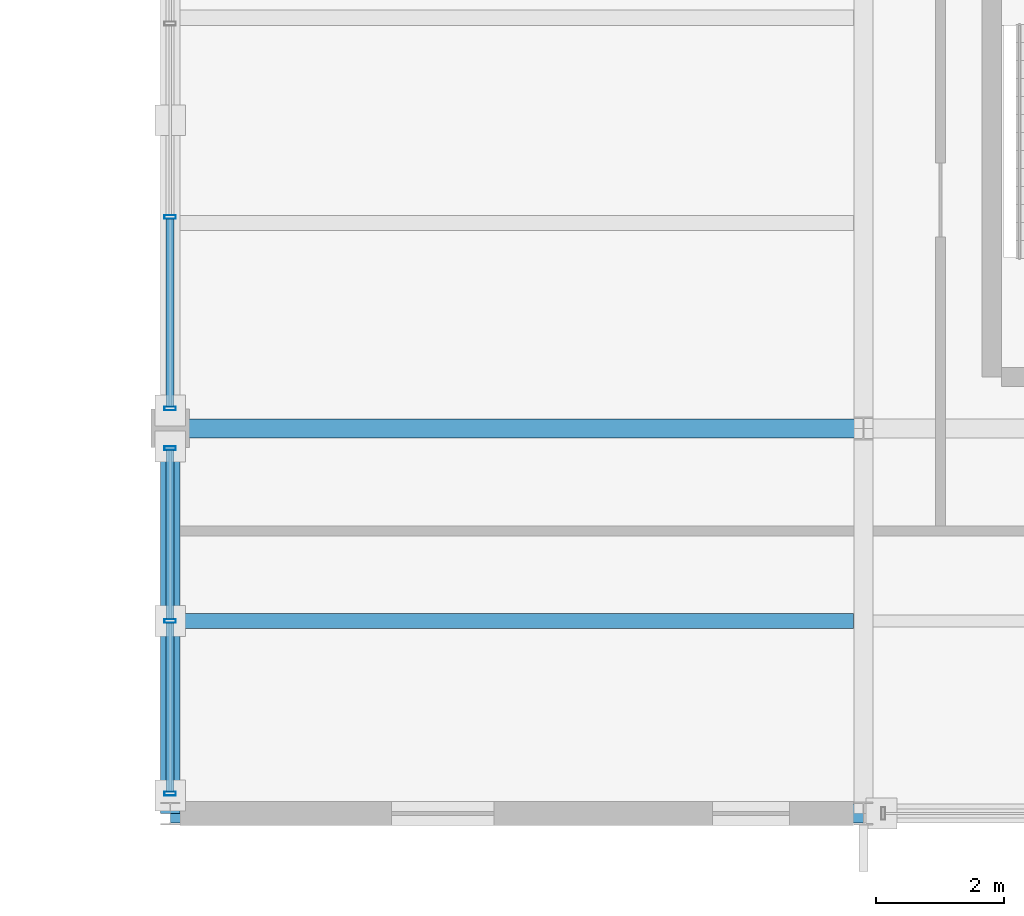
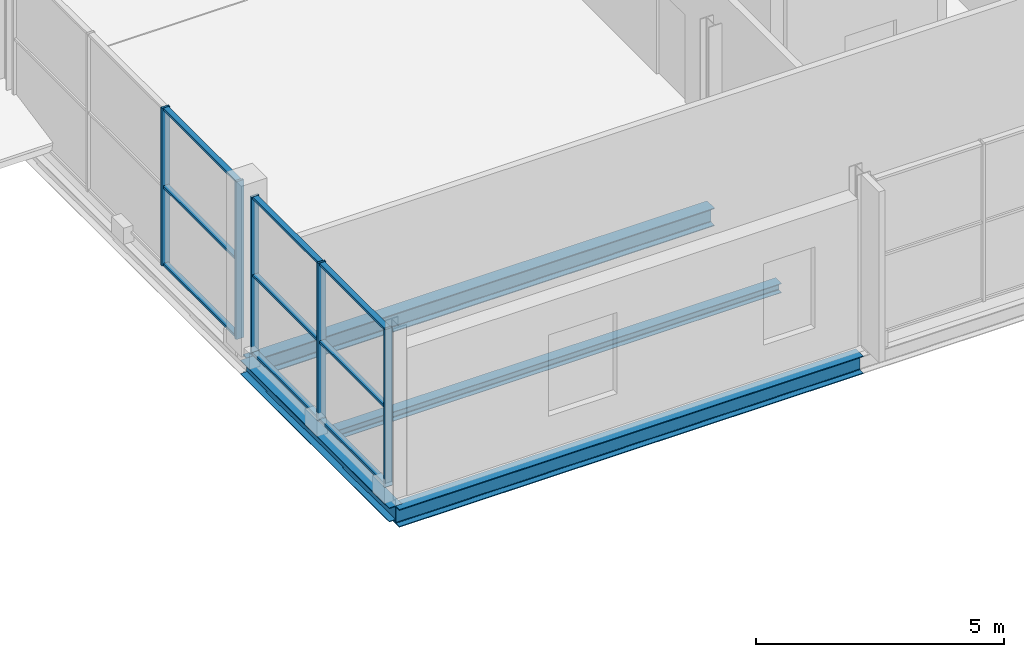
# One storey, part 74 of 117: 14 members, 4 beams, 2 elements without a shape of their own.
"""IFC4 building model written with IfcOpenShell, lengths in metres."""

from ifc_helpers import new_model, si_unit, direction, frame, origin, origin_2d, place, context, subcontext, project, spatial, hollow_rectangle, i_section, extrude, material, material_profile, profile_set, type_object, element, aggregate, save


model = new_model("IFC4")

# Units and contexts
model_context = context("Model", 3, precision=1e-05, world=origin(), true_north=direction((0.0, 1.0)))
body_context = subcontext(model_context, "Body", "Model", "MODEL_VIEW")
ifc_project = project(units=[si_unit("LENGTHUNIT", "METRE"), si_unit("AREAUNIT", "SQUARE_METRE"), si_unit("VOLUMEUNIT", "CUBIC_METRE"), si_unit("PLANEANGLEUNIT", "RADIAN"), si_unit("MASSUNIT", "GRAM", prefix="KILO")], contexts=[model_context])

# Site, building, storey
site_placement = place(None, origin())
site = spatial("IfcSite", under=ifc_project, at=site_placement, CompositionType="ELEMENT")
building_placement = place(site_placement, origin())
building = spatial("IfcBuilding", under=site, at=building_placement, Name="Merenkruunu Market Hall", CompositionType="ELEMENT")
storey_placement = place(building_placement, frame((0.0, 0.0, 10.199951171875)))
storey = spatial("IfcBuildingStorey", under=building, at=storey_placement, Name="L02", CompositionType="ELEMENT", Elevation=10.199951171875)

# Curtain wall, members
ifc_material_1 = material(Name="Powder-coated aluminium", Category="aluminium")
curtain_wall_type = type_object("IfcCurtainWallType", Name="Glazed Curtain Wall CW14", PredefinedType="USERDEFINED", material=ifc_material_1)
curtain_wall_1_placement = place(storey_placement, origin())
curtain_wall_1 = element("IfcCurtainWall", 1, at=curtain_wall_1_placement, inside=storey, type_object=curtain_wall_type, Name="CW-L02-CWM02-218", ObjectType="GLAZED_FACADE", PredefinedType="USERDEFINED")
ifc_material_profile_1 = material_profile(ifc_material_1, hollow_rectangle(XDim=0.06005859375, YDim=0.179931640625, WallThickness=0.00390625, at=origin_2d()), Name="ALU 60x180x4")
ifc_profile_set_1 = profile_set([ifc_material_profile_1], Name="Powder-coated aluminium")
member_type_1 = type_object("IfcMemberType", Name="Curtain Wall Mullion CWM02", PredefinedType="MULLION", material=ifc_profile_set_1)
member_1_placement = place(storey_placement, frame((148.800048828125, 0.31005859375, 0.0), z_axis=(0.0, 0.0, 1.0), x_axis=(0.0, 1.0, 0.0)))
member_1 = element("IfcMember", 2, at=member_1_placement, type_object=member_type_1, Name="CW14 mullion 1", PredefinedType="MULLION", context=body_context, shape_type="SweptSolid", body=[
    extrude(hollow_rectangle(XDim=0.06005859375, YDim=0.179931640625, WallThickness=0.00390625, at=origin_2d()), origin(), (0.0, 0.0, 1.0), 3.880126953125),
])
member_2_placement = place(storey_placement, frame((148.800048828125, 3.0, 0.0), z_axis=(0.0, 0.0, 1.0), x_axis=(0.0, 1.0, 0.0)))
member_2 = element("IfcMember", 3, at=member_2_placement, type_object=member_type_1, Name="CW14 mullion 2", PredefinedType="MULLION", context=body_context, shape_type="SweptSolid", body=[
    extrude(hollow_rectangle(XDim=0.06005859375, YDim=0.179931640625, WallThickness=0.00390625, at=origin_2d()), origin(), (0.0, 0.0, 1.0), 3.880126953125),
])
member_3_placement = place(storey_placement, frame((148.800048828125, 5.68994140625, 0.0), z_axis=(0.0, 0.0, 1.0), x_axis=(0.0, 1.0, 0.0)))
member_3 = element("IfcMember", 4, at=member_3_placement, type_object=member_type_1, Name="CW14 mullion 3", PredefinedType="MULLION", context=body_context, shape_type="SweptSolid", body=[
    extrude(hollow_rectangle(XDim=0.06005859375, YDim=0.179931640625, WallThickness=0.00390625, at=origin_2d()), origin(), (0.0, 0.0, 1.0), 3.880126953125),
])

curtain_wall_2_placement = place(storey_placement, origin())
curtain_wall_2 = element("IfcCurtainWall", 5, at=curtain_wall_2_placement, inside=storey, type_object=curtain_wall_type, Name="CW-L02-CWM02-219", ObjectType="GLAZED_FACADE", PredefinedType="USERDEFINED")
member_4_placement = place(storey_placement, frame((148.800048828125, 6.31005859375, 0.0), z_axis=(0.0, 0.0, 1.0), x_axis=(0.0, 1.0, 0.0)))
member_4 = element("IfcMember", 6, at=member_4_placement, type_object=member_type_1, Name="CW14 mullion 1", PredefinedType="MULLION", context=body_context, shape_type="SweptSolid", body=[
    extrude(hollow_rectangle(XDim=0.06005859375, YDim=0.179931640625, WallThickness=0.00390625, at=origin_2d()), origin(), (0.0, 0.0, 1.0), 3.880126953125),
])
member_5_placement = place(storey_placement, frame((148.800048828125, 9.293212890625, 0.0), z_axis=(0.0, 0.0, 1.0), x_axis=(0.0, 1.0, 0.0)))
member_5 = element("IfcMember", 7, at=member_5_placement, type_object=member_type_1, Name="CW14 mullion 2", PredefinedType="MULLION", context=body_context, shape_type="SweptSolid", body=[
    extrude(hollow_rectangle(XDim=0.06005859375, YDim=0.179931640625, WallThickness=0.00390625, at=origin_2d()), origin(), (0.0, 0.0, 1.0), 3.880126953125),
])

# Member
ifc_material_profile_2 = material_profile(ifc_material_1, hollow_rectangle(XDim=0.06005859375, YDim=0.125, WallThickness=0.00390625, at=origin_2d()), Name="ALU 60x125x4")
ifc_profile_set_2 = profile_set([ifc_material_profile_2], Name="Powder-coated aluminium")
member_type_2 = type_object("IfcMemberType", Name="Curtain Wall Transom CWT01", PredefinedType="USERDEFINED", material=ifc_profile_set_2)
member_6_placement = place(storey_placement, frame((148.800048828125, 0.340087890625, 0.030029296875), z_axis=(0.0, 1.0, 0.0), x_axis=(0.0, 0.0, 1.0)))
member_6 = element("IfcMember", 8, at=member_6_placement, type_object=member_type_2, Name="CW14 transom 1.1", ObjectType="TRANSOM", PredefinedType="USERDEFINED", context=body_context, shape_type="SweptSolid", body=[
    extrude(hollow_rectangle(XDim=0.06005859375, YDim=0.125, WallThickness=0.00390625, at=origin_2d()), origin(), (0.0, 0.0, 1.0), 2.6298828125),
])

member_7_placement = place(storey_placement, frame((148.800048828125, 0.340087890625, 1.93994140625), z_axis=(0.0, 1.0, 0.0), x_axis=(0.0, 0.0, 1.0)))
member_7 = element("IfcMember", 9, at=member_7_placement, type_object=member_type_2, Name="CW14 transom 1.2", ObjectType="TRANSOM", PredefinedType="USERDEFINED", context=body_context, shape_type="SweptSolid", body=[
    extrude(hollow_rectangle(XDim=0.06005859375, YDim=0.125, WallThickness=0.00390625, at=origin_2d()), origin(), (0.0, 0.0, 1.0), 2.6298828125),
])

member_8_placement = place(storey_placement, frame((148.800048828125, 0.340087890625, 3.85009765625), z_axis=(0.0, 1.0, 0.0), x_axis=(0.0, 0.0, 1.0)))
member_8 = element("IfcMember", 10, at=member_8_placement, type_object=member_type_2, Name="CW14 transom 1.3", ObjectType="TRANSOM", PredefinedType="USERDEFINED", context=body_context, shape_type="SweptSolid", body=[
    extrude(hollow_rectangle(XDim=0.06005859375, YDim=0.125, WallThickness=0.00390625, at=origin_2d()), origin(), (0.0, 0.0, 1.0), 2.6298828125),
])

member_9_placement = place(storey_placement, frame((148.800048828125, 3.030029296875, 0.030029296875), z_axis=(0.0, 1.0, 0.0), x_axis=(0.0, 0.0, 1.0)))
member_9 = element("IfcMember", 11, at=member_9_placement, type_object=member_type_2, Name="CW14 transom 2.1", ObjectType="TRANSOM", PredefinedType="USERDEFINED", context=body_context, shape_type="SweptSolid", body=[
    extrude(hollow_rectangle(XDim=0.06005859375, YDim=0.125, WallThickness=0.00390625, at=origin_2d()), origin(), (0.0, 0.0, 1.0), 2.6298828125),
])

member_10_placement = place(storey_placement, frame((148.800048828125, 3.030029296875, 1.93994140625), z_axis=(0.0, 1.0, 0.0), x_axis=(0.0, 0.0, 1.0)))
member_10 = element("IfcMember", 12, at=member_10_placement, type_object=member_type_2, Name="CW14 transom 2.2", ObjectType="TRANSOM", PredefinedType="USERDEFINED", context=body_context, shape_type="SweptSolid", body=[
    extrude(hollow_rectangle(XDim=0.06005859375, YDim=0.125, WallThickness=0.00390625, at=origin_2d()), origin(), (0.0, 0.0, 1.0), 2.6298828125),
])

member_11_placement = place(storey_placement, frame((148.800048828125, 3.030029296875, 3.85009765625), z_axis=(0.0, 1.0, 0.0), x_axis=(0.0, 0.0, 1.0)))
member_11 = element("IfcMember", 13, at=member_11_placement, type_object=member_type_2, Name="CW14 transom 2.3", ObjectType="TRANSOM", PredefinedType="USERDEFINED", context=body_context, shape_type="SweptSolid", body=[
    extrude(hollow_rectangle(XDim=0.06005859375, YDim=0.125, WallThickness=0.00390625, at=origin_2d()), origin(), (0.0, 0.0, 1.0), 2.6298828125),
])

aggregate(curtain_wall_1, [member_1, member_2, member_3, member_6, member_7, member_8, member_9, member_10, member_11])

member_12_placement = place(storey_placement, frame((148.800048828125, 6.340087890625, 0.030029296875), z_axis=(0.0, 1.0, 0.0), x_axis=(0.0, 0.0, 1.0)))
member_12 = element("IfcMember", 14, at=member_12_placement, type_object=member_type_2, Name="CW14 transom 1.1", ObjectType="TRANSOM", PredefinedType="USERDEFINED", context=body_context, shape_type="SweptSolid", body=[
    extrude(hollow_rectangle(XDim=0.06005859375, YDim=0.125, WallThickness=0.00390625, at=origin_2d()), origin(), (0.0, 0.0, 1.0), 2.92333984375),
])

member_13_placement = place(storey_placement, frame((148.800048828125, 6.340087890625, 1.93994140625), z_axis=(0.0, 1.0, 0.0), x_axis=(0.0, 0.0, 1.0)))
member_13 = element("IfcMember", 15, at=member_13_placement, type_object=member_type_2, Name="CW14 transom 1.2", ObjectType="TRANSOM", PredefinedType="USERDEFINED", context=body_context, shape_type="SweptSolid", body=[
    extrude(hollow_rectangle(XDim=0.06005859375, YDim=0.125, WallThickness=0.00390625, at=origin_2d()), origin(), (0.0, 0.0, 1.0), 2.92333984375),
])

member_14_placement = place(storey_placement, frame((148.800048828125, 6.340087890625, 3.85009765625), z_axis=(0.0, 1.0, 0.0), x_axis=(0.0, 0.0, 1.0)))
member_14 = element("IfcMember", 16, at=member_14_placement, type_object=member_type_2, Name="CW14 transom 1.3", ObjectType="TRANSOM", PredefinedType="USERDEFINED", context=body_context, shape_type="SweptSolid", body=[
    extrude(hollow_rectangle(XDim=0.06005859375, YDim=0.125, WallThickness=0.00390625, at=origin_2d()), origin(), (0.0, 0.0, 1.0), 2.92333984375),
])

aggregate(curtain_wall_2, [member_4, member_5, member_12, member_13, member_14])

# Beams
ifc_material_2 = material(Name="Steel S355J2", Category="steel")
ifc_material_profile_3 = material_profile(ifc_material_2, i_section(OverallWidth=0.300048828125, OverallDepth=0.43994140625, WebThickness=0.011474609375, FlangeThickness=0.02099609375, FilletRadius=0.027099609375, at=origin_2d()), Name="HEA 450")
ifc_profile_set_3 = profile_set([ifc_material_profile_3], Name="Steel S355J2")
beam_type_1 = type_object("IfcBeamType", Name="Primary Floor Girder B07", PredefinedType="BEAM", material=ifc_profile_set_3)
for number, where, z_axis, x_axis, name in (
    (17, (148.800048828125, 0.0, -0.530029296875), (1.0, 0.0, 0.0), (0.0, 1.0, 0.0), "BM-L02-B07-0736"),
    (18, (148.800048828125, 6.0, -0.530029296875), (1.0, 0.0, 0.0), (0.0, 1.0, 0.0), "BM-L02-B07-0740"),
):
    element("IfcBeam", number, at=place(storey_placement, frame(where, z_axis=z_axis, x_axis=x_axis)), inside=storey, type_object=beam_type_1, Name=name, PredefinedType="BEAM", context=body_context, shape_type="SweptSolid", body=[
        extrude(i_section(OverallWidth=0.300048828125, OverallDepth=0.43994140625, WebThickness=0.011474609375, FlangeThickness=0.02099609375, FilletRadius=0.027099609375, at=origin_2d()), origin(), (0.0, 0.0, 1.0), 10.800048828125),
    ])
ifc_material_profile_4 = material_profile(ifc_material_2, i_section(OverallWidth=0.300048828125, OverallDepth=0.35009765625, WebThickness=0.010009765625, FlangeThickness=0.017578125, FilletRadius=0.027099609375, at=origin_2d()), Name="HEA 360")
ifc_profile_set_4 = profile_set([ifc_material_profile_4], Name="Steel S355J2")
beam_type_2 = type_object("IfcBeamType", Name="Primary Floor Girder B08", PredefinedType="BEAM", material=ifc_profile_set_4)
beam_1_placement = place(storey_placement, frame((148.800048828125, 0.0, -0.48486328125), z_axis=(0.0, 1.0, 0.0), x_axis=(-1.0, 0.0, 0.0)))
element("IfcBeam", 19, at=beam_1_placement, inside=storey, type_object=beam_type_2, Name="BM-L02-B08-0796", PredefinedType="BEAM", context=body_context, shape_type="SweptSolid", body=[
    extrude(i_section(OverallWidth=0.300048828125, OverallDepth=0.35009765625, WebThickness=0.010009765625, FlangeThickness=0.017578125, FilletRadius=0.027099609375, at=origin_2d()), origin(), (0.0, 0.0, 1.0), 6.0),
])
ifc_material_profile_5 = material_profile(ifc_material_2, i_section(OverallWidth=0.239990234375, OverallDepth=0.22998046875, WebThickness=0.007568359375, FlangeThickness=0.011962890625, FilletRadius=0.02099609375, at=origin_2d()), Name="HEA 240")
ifc_profile_set_5 = profile_set([ifc_material_profile_5], Name="Steel S355J2")
beam_type_3 = type_object("IfcBeamType", Name="Secondary Floor Joist J06", PredefinedType="JOIST", material=ifc_profile_set_5)
beam_2_placement = place(storey_placement, frame((148.952880859375, 3.0, -0.425048828125), z_axis=(1.0, 0.0, 0.0), x_axis=(0.0, 1.0, 0.0)))
element("IfcBeam", 20, at=beam_2_placement, inside=storey, type_object=beam_type_3, Name="BM-L02-J06-0835", PredefinedType="JOIST", context=body_context, shape_type="SweptSolid", body=[
    extrude(i_section(OverallWidth=0.239990234375, OverallDepth=0.22998046875, WebThickness=0.007568359375, FlangeThickness=0.011962890625, FilletRadius=0.02099609375, at=origin_2d()), origin(), (0.0, 0.0, 1.0), 10.494140625),
])

save(model, "model.ifc")
